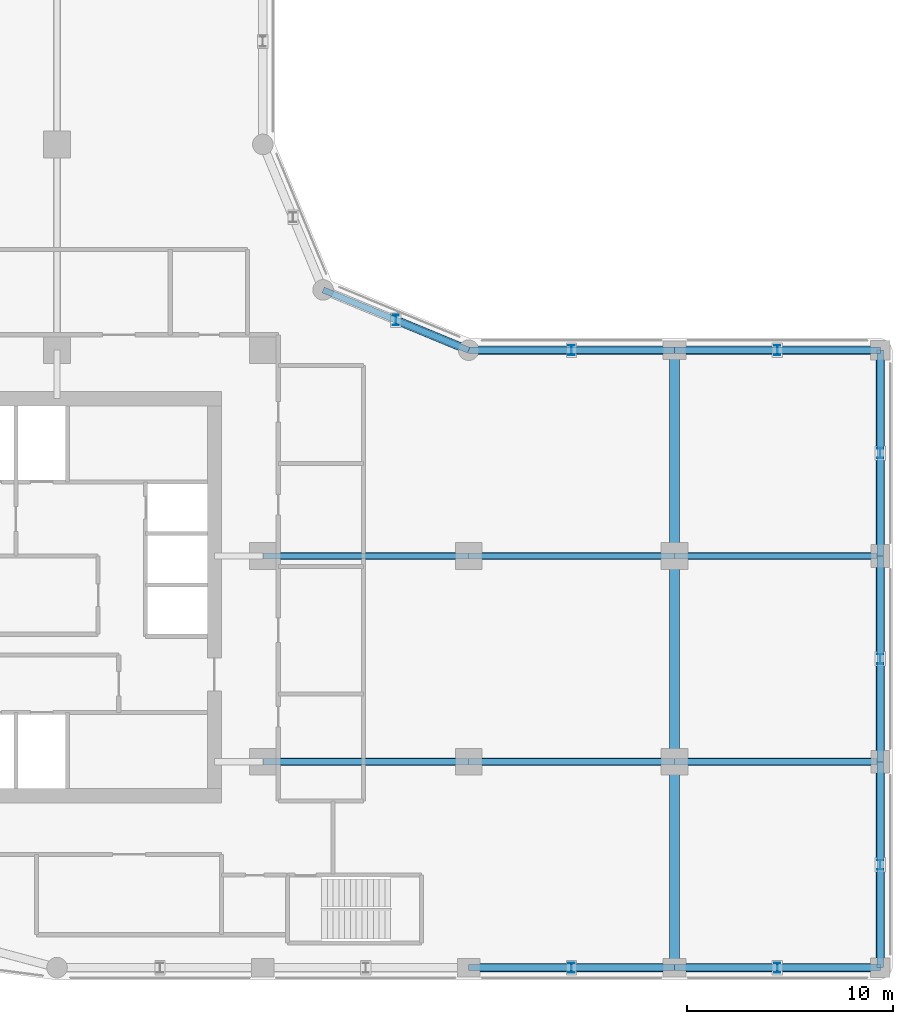
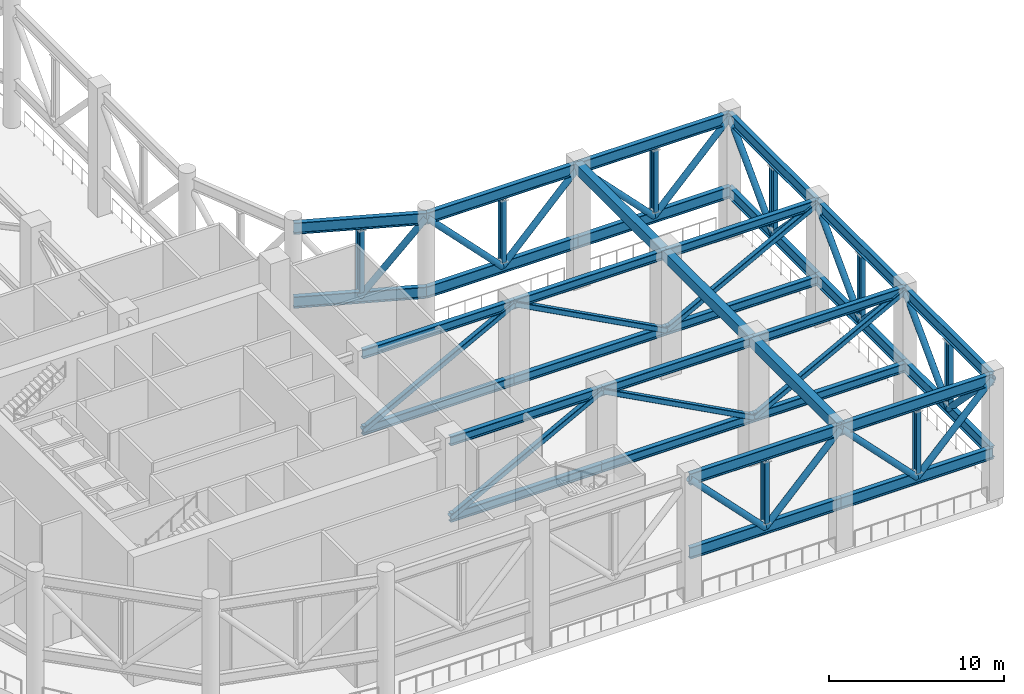
# One storey, part 3 of 13: 57 members, 3 beams.
"""IFC4 building model written with IfcOpenShell, lengths in metres."""

from ifc_helpers import new_model, si_unit, direction, frame, origin, origin_2d, place, context, subcontext, project, spatial, rectangle, hollow_rectangle, hollow_circle, i_section, extrude, material, material_profile, profile_set, type_object, element, save


model = new_model("IFC4")

# Units and contexts
model_context = context("Model", 3, precision=1e-05, world=origin(), true_north=direction((0.0, 1.0)))
body_context = subcontext(model_context, "Body", "Model", "MODEL_VIEW")
ifc_project = project(units=[si_unit("LENGTHUNIT", "METRE"), si_unit("AREAUNIT", "SQUARE_METRE"), si_unit("VOLUMEUNIT", "CUBIC_METRE"), si_unit("PLANEANGLEUNIT", "RADIAN"), si_unit("MASSUNIT", "GRAM", prefix="KILO")], contexts=[model_context])

# Site, building, storey
site_placement = place(None, origin())
site = spatial("IfcSite", under=ifc_project, at=site_placement, CompositionType="ELEMENT")
building_placement = place(site_placement, origin())
building = spatial("IfcBuilding", under=site, at=building_placement, Name="Qaws Garden Tower", CompositionType="ELEMENT")
storey_placement = place(building_placement, frame((0.0, 0.0, 237.0)))
storey = spatial("IfcBuildingStorey", under=building, at=storey_placement, Name="L58", CompositionType="ELEMENT", Elevation=237.0)

# Members
ifc_material_1 = material(Name="Steel S355", Category="steel")
ifc_material_profile_1 = material_profile(ifc_material_1, i_section(OverallWidth=0.300048828125, OverallDepth=0.800048828125, WebThickness=0.017578125, FlangeThickness=0.032958984375, FilletRadius=0.030029296875, at=origin_2d()), Name="HEB 800")
ifc_profile_set_1 = profile_set([ifc_material_profile_1], Name="Steel S355")
member_type_1 = type_object("IfcMemberType", Name="Belt chord HEB 800", PredefinedType="CHORD", material=ifc_profile_set_1)
for number, where, z_axis, x_axis, name in (
    (1, (40.0, 0.0, 8.14990234375), (1.0, 0.0, 0.0), (0.0, 1.0, 0.0), "Belt truss top chord 3"),
    (2, (40.0, 0.0, 3.0), (1.0, 0.0, 0.0), (0.0, 1.0, 0.0), "Belt truss bottom chord 3"),
    (3, (50.0, 0.0, 8.14990234375), (1.0, 0.0, 0.0), (0.0, 1.0, 0.0), "Belt truss top chord 4"),
    (4, (50.0, 0.0, 3.0), (1.0, 0.0, 0.0), (0.0, 1.0, 0.0), "Belt truss bottom chord 4"),
    (5, (60.0, 0.0, 8.14990234375), (0.0, 1.0, 0.0), (-1.0, 0.0, 0.0), "Belt truss top chord 5"),
    (6, (60.0, 0.0, 3.0), (0.0, 1.0, 0.0), (-1.0, 0.0, 0.0), "Belt truss bottom chord 5"),
    (7, (60.0, 10.0, 8.14990234375), (0.0, 1.0, 0.0), (-1.0, 0.0, 0.0), "Belt truss top chord 6"),
    (8, (60.0, 10.0, 3.0), (0.0, 1.0, 0.0), (-1.0, 0.0, 0.0), "Belt truss bottom chord 6"),
    (9, (60.0, 20.0, 8.14990234375), (0.0, 1.0, 0.0), (-1.0, 0.0, 0.0), "Belt truss top chord 7"),
    (10, (60.0, 20.0, 3.0), (0.0, 1.0, 0.0), (-1.0, 0.0, 0.0), "Belt truss bottom chord 7"),
    (11, (60.0, 30.0, 8.14990234375), (-1.0, 0.0, 0.0), (0.0, -1.0, 0.0), "Belt truss top chord 8"),
    (12, (60.0, 30.0, 3.0), (-1.0, 0.0, 0.0), (0.0, -1.0, 0.0), "Belt truss bottom chord 8"),
    (13, (50.0, 30.0, 8.14990234375), (-1.0, 0.0, 0.0), (0.0, -1.0, 0.0), "Belt truss top chord 9"),
    (14, (50.0, 30.0, 3.0), (-1.0, 0.0, 0.0), (0.0, -1.0, 0.0), "Belt truss bottom chord 9"),
):
    element("IfcMember", number, at=place(storey_placement, frame(where, z_axis=z_axis, x_axis=x_axis)), inside=storey, type_object=member_type_1, Name=name, PredefinedType="CHORD", context=body_context, shape_type="SweptSolid", body=[
        extrude(i_section(OverallWidth=0.300048828125, OverallDepth=0.800048828125, WebThickness=0.017578125, FlangeThickness=0.032958984375, FilletRadius=0.030029296875, at=origin_2d()), origin(), (0.0, 0.0, 1.0), 10.0),
    ])
for number, where, z_axis, x_axis, name in (
    (15, (40.0, 30.0, 8.14990234375), (-0.923878037141, 0.382687042488, 0.0), (-0.382687042488, -0.923878037141, 0.0), "Belt truss top chord 10"),
    (16, (40.0, 30.0, 3.0), (-0.923878037141, 0.382687042488, 0.0), (-0.382687042488, -0.923878037141, 0.0), "Belt truss bottom chord 10"),
):
    element("IfcMember", number, at=place(storey_placement, frame(where, z_axis=z_axis, x_axis=x_axis)), inside=storey, type_object=member_type_1, Name=name, PredefinedType="CHORD", context=body_context, shape_type="SweptSolid", body=[
        extrude(i_section(OverallWidth=0.300048828125, OverallDepth=0.800048828125, WebThickness=0.017578125, FlangeThickness=0.032958984375, FilletRadius=0.030029296875, at=origin_2d()), origin(), (0.0, 0.0, 1.0), 7.653564453125),
    ])
ifc_material_2 = material(Name="Steel S355", Category="steel")
ifc_material_profile_2 = material_profile(ifc_material_2, hollow_circle(Radius=0.203125, WallThickness=0.02001953125, at=origin_2d()), Name="CHS 406.4x20")
ifc_profile_set_2 = profile_set([ifc_material_profile_2], Name="Steel S355")
member_type_2 = type_object("IfcMemberType", Name="Belt diagonal CHS 406.4x20", PredefinedType="BRACE", material=ifc_profile_set_2)
for number, where, z_axis, x_axis, name in (
    (17, (40.0, 0.0, 8.14990234375), (0.696587664797, 0.0, -0.717471689513), (0.0, 1.0, 0.0), "Belt truss diagonal 3a"),
    (18, (45.0, 0.0, 3.0), (0.696587664797, 0.0, 0.717471689513), (0.0, 1.0, 0.0), "Belt truss diagonal 3b"),
    (19, (50.0, 0.0, 8.14990234375), (0.696587664797, 0.0, -0.717471689513), (0.0, 1.0, 0.0), "Belt truss diagonal 4a"),
    (20, (55.0, 0.0, 3.0), (0.696587664797, 0.0, 0.717471689513), (0.0, 1.0, 0.0), "Belt truss diagonal 4b"),
    (21, (60.0, 0.0, 8.14990234375), (0.0, 0.696587664797, -0.717471689513), (-1.0, 0.0, 0.0), "Belt truss diagonal 5a"),
    (22, (60.0, 5.0, 3.0), (0.0, 0.696587664797, 0.717471689513), (-1.0, 0.0, 0.0), "Belt truss diagonal 5b"),
    (23, (60.0, 10.0, 8.14990234375), (0.0, 0.696587664797, -0.717471689513), (-1.0, 0.0, 0.0), "Belt truss diagonal 6a"),
    (24, (60.0, 15.0, 3.0), (0.0, 0.696587664797, 0.717471689513), (-1.0, 0.0, 0.0), "Belt truss diagonal 6b"),
    (25, (60.0, 20.0, 8.14990234375), (0.0, 0.696587664797, -0.717471689513), (-1.0, 0.0, 0.0), "Belt truss diagonal 7a"),
    (26, (60.0, 25.0, 3.0), (0.0, 0.696587664797, 0.717471689513), (-1.0, 0.0, 0.0), "Belt truss diagonal 7b"),
    (27, (60.0, 30.0, 8.14990234375), (-0.696587664797, 0.0, -0.717471689513), (0.0, -1.0, 0.0), "Belt truss diagonal 8a"),
    (28, (55.0, 30.0, 3.0), (-0.696587664797, 0.0, 0.717471689513), (0.0, -1.0, 0.0), "Belt truss diagonal 8b"),
    (29, (50.0, 30.0, 8.14990234375), (-0.696587664797, 0.0, -0.717471689513), (0.0, -1.0, 0.0), "Belt truss diagonal 9a"),
    (30, (45.0, 30.0, 3.0), (-0.696587664797, 0.0, 0.717471689513), (0.0, -1.0, 0.0), "Belt truss diagonal 9b"),
):
    element("IfcMember", number, at=place(storey_placement, frame(where, z_axis=z_axis, x_axis=x_axis)), inside=storey, type_object=member_type_2, Name=name, PredefinedType="BRACE", context=body_context, shape_type="SweptSolid", body=[
        extrude(hollow_circle(Radius=0.203125, WallThickness=0.02001953125, at=origin_2d()), origin(), (0.0, 0.0, 1.0), 7.177734375),
    ])
member_1_placement = place(storey_placement, frame((40.0, 30.0, 8.14990234375), z_axis=(-0.551056367454, 0.22823063748, -0.802650394633), x_axis=(-0.382648537851, -0.92389398552, 0.0)))
element("IfcMember", 31, at=member_1_placement, inside=storey, type_object=member_type_2, Name="Belt truss diagonal 10a", PredefinedType="BRACE", context=body_context, shape_type="SweptSolid", body=[
    extrude(hollow_circle(Radius=0.203125, WallThickness=0.02001953125, at=origin_2d()), origin(), (0.0, 0.0, 1.0), 6.416015625),
])
ifc_material_3 = material(Name="Steel S355", Category="steel")
ifc_material_profile_3 = material_profile(ifc_material_3, i_section(OverallWidth=0.300048828125, OverallDepth=0.5, WebThickness=0.014404296875, FlangeThickness=0.028076171875, FilletRadius=0.027099609375, at=origin_2d()), Name="HEB 500")
ifc_profile_set_3 = profile_set([ifc_material_profile_3], Name="Steel S355")
member_type_3 = type_object("IfcMemberType", Name="Belt post HEB 500", PredefinedType="POST", material=ifc_profile_set_3)
member_2_placement = place(storey_placement, frame((45.0, 0.0, 3.39990234375), z_axis=(0.0, 0.0, 1.0), x_axis=(1.0, 0.0, 0.0)))
element("IfcMember", 32, at=member_2_placement, inside=storey, type_object=member_type_3, Name="Belt truss post 3", PredefinedType="POST", context=body_context, shape_type="SweptSolid", body=[
    extrude(i_section(OverallWidth=0.300048828125, OverallDepth=0.5, WebThickness=0.014404296875, FlangeThickness=0.028076171875, FilletRadius=0.027099609375, at=origin_2d()), origin(), (0.0, 0.0, 1.0), 4.35009765625),
])
member_3_placement = place(storey_placement, frame((55.0, 0.0, 3.39990234375), z_axis=(0.0, 0.0, 1.0), x_axis=(1.0, 0.0, 0.0)))
element("IfcMember", 33, at=member_3_placement, inside=storey, type_object=member_type_3, Name="Belt truss post 4", PredefinedType="POST", context=body_context, shape_type="SweptSolid", body=[
    extrude(i_section(OverallWidth=0.300048828125, OverallDepth=0.5, WebThickness=0.014404296875, FlangeThickness=0.028076171875, FilletRadius=0.027099609375, at=origin_2d()), origin(), (0.0, 0.0, 1.0), 4.35009765625),
])
member_4_placement = place(storey_placement, frame((60.0, 5.0, 3.39990234375), z_axis=(0.0, 0.0, 1.0), x_axis=(1.0, 0.0, 0.0)))
element("IfcMember", 34, at=member_4_placement, inside=storey, type_object=member_type_3, Name="Belt truss post 5", PredefinedType="POST", context=body_context, shape_type="SweptSolid", body=[
    extrude(i_section(OverallWidth=0.300048828125, OverallDepth=0.5, WebThickness=0.014404296875, FlangeThickness=0.028076171875, FilletRadius=0.027099609375, at=origin_2d()), origin(), (0.0, 0.0, 1.0), 4.35009765625),
])
member_5_placement = place(storey_placement, frame((60.0, 15.0, 3.39990234375), z_axis=(0.0, 0.0, 1.0), x_axis=(1.0, 0.0, 0.0)))
element("IfcMember", 35, at=member_5_placement, inside=storey, type_object=member_type_3, Name="Belt truss post 6", PredefinedType="POST", context=body_context, shape_type="SweptSolid", body=[
    extrude(i_section(OverallWidth=0.300048828125, OverallDepth=0.5, WebThickness=0.014404296875, FlangeThickness=0.028076171875, FilletRadius=0.027099609375, at=origin_2d()), origin(), (0.0, 0.0, 1.0), 4.35009765625),
])
member_6_placement = place(storey_placement, frame((60.0, 25.0, 3.39990234375), z_axis=(0.0, 0.0, 1.0), x_axis=(1.0, 0.0, 0.0)))
element("IfcMember", 36, at=member_6_placement, inside=storey, type_object=member_type_3, Name="Belt truss post 7", PredefinedType="POST", context=body_context, shape_type="SweptSolid", body=[
    extrude(i_section(OverallWidth=0.300048828125, OverallDepth=0.5, WebThickness=0.014404296875, FlangeThickness=0.028076171875, FilletRadius=0.027099609375, at=origin_2d()), origin(), (0.0, 0.0, 1.0), 4.35009765625),
])
member_7_placement = place(storey_placement, frame((55.0, 30.0, 3.39990234375), z_axis=(0.0, 0.0, 1.0), x_axis=(1.0, 0.0, 0.0)))
element("IfcMember", 37, at=member_7_placement, inside=storey, type_object=member_type_3, Name="Belt truss post 8", PredefinedType="POST", context=body_context, shape_type="SweptSolid", body=[
    extrude(i_section(OverallWidth=0.300048828125, OverallDepth=0.5, WebThickness=0.014404296875, FlangeThickness=0.028076171875, FilletRadius=0.027099609375, at=origin_2d()), origin(), (0.0, 0.0, 1.0), 4.35009765625),
])
member_8_placement = place(storey_placement, frame((45.0, 30.0, 3.39990234375), z_axis=(0.0, 0.0, 1.0), x_axis=(1.0, 0.0, 0.0)))
element("IfcMember", 38, at=member_8_placement, inside=storey, type_object=member_type_3, Name="Belt truss post 9", PredefinedType="POST", context=body_context, shape_type="SweptSolid", body=[
    extrude(i_section(OverallWidth=0.300048828125, OverallDepth=0.5, WebThickness=0.014404296875, FlangeThickness=0.028076171875, FilletRadius=0.027099609375, at=origin_2d()), origin(), (0.0, 0.0, 1.0), 4.35009765625),
])
member_9_placement = place(storey_placement, frame((36.46435546875, 31.46435546875, 3.39990234375), z_axis=(0.0, 0.0, 1.0), x_axis=(1.0, 0.0, 0.0)))
element("IfcMember", 39, at=member_9_placement, inside=storey, type_object=member_type_3, Name="Belt truss post 10", PredefinedType="POST", context=body_context, shape_type="SweptSolid", body=[
    extrude(i_section(OverallWidth=0.300048828125, OverallDepth=0.5, WebThickness=0.014404296875, FlangeThickness=0.028076171875, FilletRadius=0.027099609375, at=origin_2d()), origin(), (0.0, 0.0, 1.0), 4.35009765625),
])
ifc_material_4 = material(Name="Steel S355", Category="steel")
ifc_material_profile_4 = material_profile(ifc_material_4, i_section(OverallWidth=0.304931640625, OverallDepth=0.6201171875, WebThickness=0.02099609375, FlangeThickness=0.0400390625, FilletRadius=0.027099609375, at=origin_2d()), Name="HEM 600")
ifc_profile_set_4 = profile_set([ifc_material_profile_4], Name="Steel S355")
member_type_4 = type_object("IfcMemberType", Name="Outrigger chord HEM 600", PredefinedType="CHORD", material=ifc_profile_set_4)
for number, where, z_axis, x_axis, name in (
    (40, (30.0, 10.0, 8.239990234375), (1.0, 0.0, 0.0), (0.0, 1.0, 0.0), "Outrigger 1 top chord 2"),
    (41, (30.0, 10.0, 2.909912109375), (1.0, 0.0, 0.0), (0.0, 1.0, 0.0), "Outrigger 1 bottom chord 2"),
    (42, (40.0, 10.0, 8.239990234375), (1.0, 0.0, 0.0), (0.0, 1.0, 0.0), "Outrigger 1 top chord 3"),
    (43, (40.0, 10.0, 2.909912109375), (1.0, 0.0, 0.0), (0.0, 1.0, 0.0), "Outrigger 1 bottom chord 3"),
    (44, (50.0, 10.0, 8.239990234375), (1.0, 0.0, 0.0), (0.0, 1.0, 0.0), "Outrigger 1 top chord 4"),
    (45, (50.0, 10.0, 2.909912109375), (1.0, 0.0, 0.0), (0.0, 1.0, 0.0), "Outrigger 1 bottom chord 4"),
    (46, (30.0, 20.0, 8.239990234375), (1.0, 0.0, 0.0), (0.0, 1.0, 0.0), "Outrigger 2 top chord 2"),
    (47, (30.0, 20.0, 2.909912109375), (1.0, 0.0, 0.0), (0.0, 1.0, 0.0), "Outrigger 2 bottom chord 2"),
    (48, (40.0, 20.0, 8.239990234375), (1.0, 0.0, 0.0), (0.0, 1.0, 0.0), "Outrigger 2 top chord 3"),
    (49, (40.0, 20.0, 2.909912109375), (1.0, 0.0, 0.0), (0.0, 1.0, 0.0), "Outrigger 2 bottom chord 3"),
    (50, (50.0, 20.0, 8.239990234375), (1.0, 0.0, 0.0), (0.0, 1.0, 0.0), "Outrigger 2 top chord 4"),
    (51, (50.0, 20.0, 2.909912109375), (1.0, 0.0, 0.0), (0.0, 1.0, 0.0), "Outrigger 2 bottom chord 4"),
):
    element("IfcMember", number, at=place(storey_placement, frame(where, z_axis=z_axis, x_axis=x_axis)), inside=storey, type_object=member_type_4, Name=name, PredefinedType="CHORD", context=body_context, shape_type="SweptSolid", body=[
        extrude(i_section(OverallWidth=0.304931640625, OverallDepth=0.6201171875, WebThickness=0.02099609375, FlangeThickness=0.0400390625, FilletRadius=0.027099609375, at=origin_2d()), origin(), (0.0, 0.0, 1.0), 10.0),
    ])
ifc_material_5 = material(Name="Steel S355", Category="steel")
ifc_material_profile_5 = material_profile(ifc_material_5, hollow_rectangle(XDim=0.35009765625, YDim=0.35009765625, WallThickness=0.02001953125, InnerFilletRadius=0.030029296875, OuterFilletRadius=0.050048828125, at=origin_2d()), Name="SHS 350x350x20")
ifc_profile_set_5 = profile_set([ifc_material_profile_5], Name="Steel S355")
member_type_5 = type_object("IfcMemberType", Name="Outrigger diagonal SHS 350x350x20", PredefinedType="BRACE", material=ifc_profile_set_5)
for number, where, z_axis, x_axis, name in (
    (52, (30.0, 10.0, 2.909912109375), (0.882472191622, 0.0, 0.470364572448), (0.0, 1.0, 0.0), "Outrigger 1 diagonal 2"),
    (53, (40.0, 10.0, 8.239990234375), (0.882472191622, 0.0, -0.470364572448), (0.0, 1.0, 0.0), "Outrigger 1 diagonal 3"),
    (54, (50.0, 10.0, 2.909912109375), (0.882472191622, 0.0, 0.470364572448), (0.0, 1.0, 0.0), "Outrigger 1 diagonal 4"),
    (55, (30.0, 20.0, 2.909912109375), (0.882472191622, 0.0, 0.470364572448), (0.0, 1.0, 0.0), "Outrigger 2 diagonal 2"),
    (56, (40.0, 20.0, 8.239990234375), (0.882472191622, 0.0, -0.470364572448), (0.0, 1.0, 0.0), "Outrigger 2 diagonal 3"),
    (57, (50.0, 20.0, 2.909912109375), (0.882472191622, 0.0, 0.470364572448), (0.0, 1.0, 0.0), "Outrigger 2 diagonal 4"),
):
    element("IfcMember", number, at=place(storey_placement, frame(where, z_axis=z_axis, x_axis=x_axis)), inside=storey, type_object=member_type_5, Name=name, PredefinedType="BRACE", context=body_context, shape_type="SweptSolid", body=[
        extrude(hollow_rectangle(XDim=0.35009765625, YDim=0.35009765625, WallThickness=0.02001953125, InnerFilletRadius=0.030029296875, OuterFilletRadius=0.050048828125, at=origin_2d()), origin(), (0.0, 0.0, 1.0), 11.331787109375),
    ])

# Beams
ifc_material_6 = material(Name="Concrete C45", Category="concrete")
ifc_material_profile_6 = material_profile(ifc_material_6, rectangle(XDim=0.5, YDim=0.699951171875, at=origin_2d()), Name="RC 500x700")
ifc_profile_set_6 = profile_set([ifc_material_profile_6], Name="Concrete C45")
beam_type = type_object("IfcBeamType", Name="Spandrel beam RC 500x700 C45", PredefinedType="SPANDREL", material=ifc_profile_set_6)
for number, where, z_axis, x_axis, name in (
    (58, (50.0, 0.0, 8.199951171875), (0.0, 1.0, 0.0), (-1.0, 0.0, 0.0), "Spandrel beam L58-001"),
    (59, (50.0, 10.0, 8.199951171875), (0.0, 1.0, 0.0), (-1.0, 0.0, 0.0), "Spandrel beam L58-002"),
    (60, (50.0, 20.0, 8.199951171875), (0.0, 1.0, 0.0), (-1.0, 0.0, 0.0), "Spandrel beam L58-003"),
):
    element("IfcBeam", number, at=place(storey_placement, frame(where, z_axis=z_axis, x_axis=x_axis)), inside=storey, type_object=beam_type, Name=name, PredefinedType="SPANDREL", context=body_context, shape_type="SweptSolid", body=[
        extrude(rectangle(XDim=0.5, YDim=0.699951171875, at=origin_2d()), origin(), (0.0, 0.0, 1.0), 10.0),
    ])

save(model, "model.ifc")
